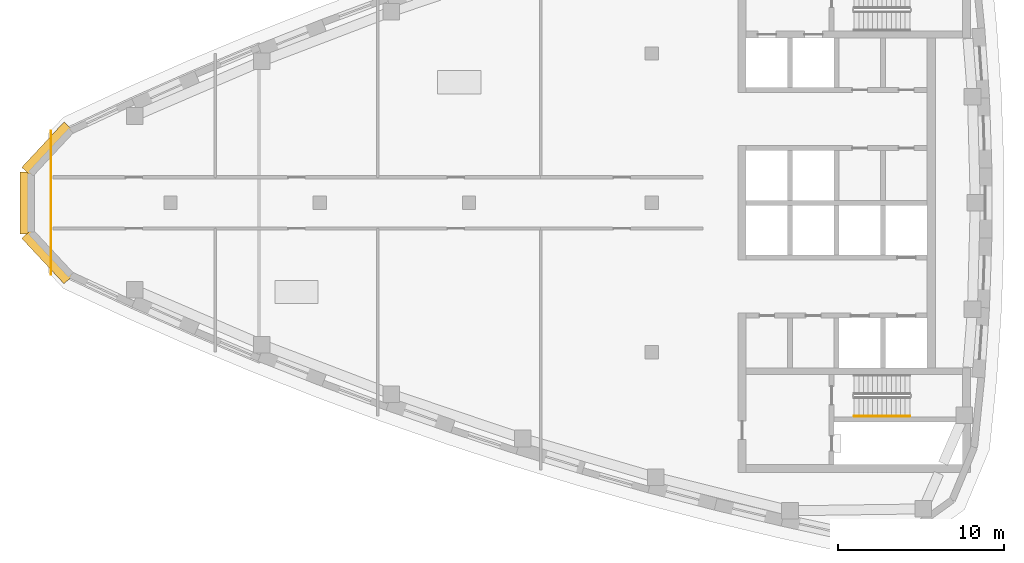
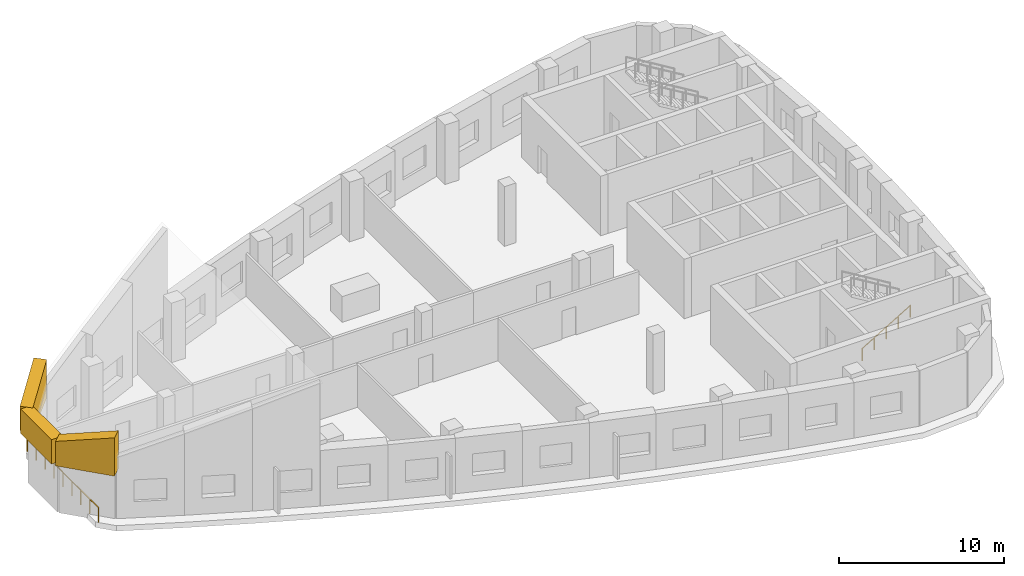
# One storey, part 5 of 7: 3 coverings, 2 railings.
"""IFC4 building model written with IfcOpenShell, lengths in metres."""

from ifc_helpers import new_model, si_unit, direction, frame, origin, origin_2d, place, context, subcontext, project, spatial, polyline, circle, outline, extrude, material, layer, layer_set, type_object, element, save


model = new_model("IFC4")

# Units and contexts
model_context = context("Model", 3, precision=1e-05, world=origin(), true_north=direction((0.0, 1.0)))
body_context = subcontext(model_context, "Body", "Model", "MODEL_VIEW")
ifc_project = project(units=[si_unit("LENGTHUNIT", "METRE"), si_unit("AREAUNIT", "SQUARE_METRE"), si_unit("VOLUMEUNIT", "CUBIC_METRE"), si_unit("PLANEANGLEUNIT", "RADIAN"), si_unit("MASSUNIT", "GRAM", prefix="KILO")], contexts=[model_context])

# Site, building, storey
site_placement = place(None, origin())
site = spatial("IfcSite", under=ifc_project, at=site_placement, CompositionType="ELEMENT")
building_placement = place(site_placement, origin())
building = spatial("IfcBuilding", under=site, at=building_placement, Name="Ostrand Prow Hotel Tower", CompositionType="ELEMENT")
storey_placement = place(building_placement, frame((0.0, 0.0, 323.0)))
storey = spatial("IfcBuildingStorey", under=building, at=storey_placement, Name="C4", CompositionType="ELEMENT", Elevation=323.0)

# Railing
ifc_material_1 = material(Name="Stainless steel", Category="steel")
railing_type_1 = type_object("IfcRailingType", Name="Crown deck edge guard 1100", PredefinedType="GUARDRAIL", material=ifc_material_1)
railing_1_placement = place(storey_placement, frame((8.810791015625, -4.31298828125, 0.0)))
element("IfcRailing", 1, at=railing_1_placement, inside=storey, type_object=railing_type_1, Name="Crown deck edge guard C4-1", PredefinedType="GUARDRAIL", context=body_context, shape_type="SweptSolid", body=[
    extrude(circle(Radius=0.02392578125, at=origin_2d()), frame((0.0, 0.0, 1.076171875), z_axis=(0.0, 1.0, 0.0), x_axis=(-1.0, 0.0, 0.0)), (0.0, 0.0, 1.0), 8.6259765625),
    extrude(circle(Radius=0.02099609375, at=origin_2d()), origin(), (0.0, 0.0, 1.0), 1.052001953125),
    extrude(circle(Radius=0.02099609375, at=origin_2d()), frame((0.0, 1.078125, 0.0)), (0.0, 0.0, 1.0), 1.052001953125),
    extrude(circle(Radius=0.02099609375, at=origin_2d()), frame((0.0, 2.156494140625, 0.0)), (0.0, 0.0, 1.0), 1.052001953125),
    extrude(circle(Radius=0.02099609375, at=origin_2d()), frame((0.0, 3.23486328125, 0.0)), (0.0, 0.0, 1.0), 1.052001953125),
    extrude(circle(Radius=0.02099609375, at=origin_2d()), frame((0.0, 4.31298828125, 0.0)), (0.0, 0.0, 1.0), 1.052001953125),
    extrude(circle(Radius=0.02099609375, at=origin_2d()), frame((0.0, 5.39111328125, 0.0)), (0.0, 0.0, 1.0), 1.052001953125),
    extrude(circle(Radius=0.02099609375, at=origin_2d()), frame((0.0, 6.469482421875, 0.0)), (0.0, 0.0, 1.0), 1.052001953125),
    extrude(circle(Radius=0.02099609375, at=origin_2d()), frame((0.0, 7.5478515625, 0.0)), (0.0, 0.0, 1.0), 1.052001953125),
    extrude(circle(Radius=0.02099609375, at=origin_2d()), frame((0.0, 8.6259765625, 0.0)), (0.0, 0.0, 1.0), 1.052001953125),
])

# Coverings
ifc_material_2 = material(Name="Limestone cladding", Category="masonry")
ifc_layer = layer(ifc_material_2, 0.800048828125)
ifc_layer_set = layer_set([ifc_layer], Name="Limestone cladding")
covering_type = type_object("IfcCoveringType", Name="Crown stone fascia 800 mm", PredefinedType="CLADDING", material=ifc_layer_set)
covering_1_placement = place(storey_placement, frame((9.883056640625, 4.601318359375, 3.464111328125), z_axis=(0.0, 0.0, 1.0), x_axis=(-0.681530790427, -0.73178943809, 0.0)))
element("IfcCovering", 2, at=covering_1_placement, inside=storey, type_object=covering_type, Name="Crown stone fascia 1", PredefinedType="CLADDING", context=body_context, shape_type="SweptSolid", body=[
    extrude(outline(polyline([(0.0, 0.0), (3.735595703125, 0.0), (3.7353515625, 1.800048828125), (0.0, 2.82861328125), (0.0, 0.0)])), frame((0.0, 0.39990234375, 0.0), z_axis=(0.0, -1.0, 0.0), x_axis=(1.0, 0.0, 0.0)), (0.0, 0.0, 1.0), 0.800048828125),
])
covering_2_placement = place(storey_placement, frame((7.337158203125, 1.86767578125, 3.464111328125), z_axis=(0.0, 0.0, 1.0), x_axis=(0.0, -1.0, 0.0)))
element("IfcCovering", 3, at=covering_2_placement, inside=storey, type_object=covering_type, Name="Crown stone fascia 2", PredefinedType="CLADDING", context=body_context, shape_type="SweptSolid", body=[
    extrude(outline(polyline([(0.0, 0.0), (3.7353515625, 0.0), (3.7353515625, 1.800048828125), (0.0, 1.800048828125), (0.0, 0.0)])), frame((0.0, 0.39990234375, 0.0), z_axis=(0.0, -1.0, 0.0), x_axis=(1.0, 0.0, 0.0)), (0.0, 0.0, 1.0), 0.800048828125),
])
covering_3_placement = place(storey_placement, frame((7.337158203125, -1.86767578125, 3.464111328125), z_axis=(0.0, 0.0, 1.0), x_axis=(0.681530790427, -0.73178943809, 0.0)))
element("IfcCovering", 4, at=covering_3_placement, inside=storey, type_object=covering_type, Name="Crown stone fascia 3", PredefinedType="CLADDING", context=body_context, shape_type="SweptSolid", body=[
    extrude(outline(polyline([(0.0, 0.0), (3.735595703125, 0.0), (3.7353515625, 2.82861328125), (0.0, 1.800048828125), (0.0, 0.0)])), frame((0.0, 0.39990234375, 0.0), z_axis=(0.0, -1.0, 0.0), x_axis=(1.0, 0.0, 0.0)), (0.0, 0.0, 1.0), 0.800048828125),
])

# Railing
ifc_material_3 = material(Name="Stainless steel", Category="steel")
railing_type_2 = type_object("IfcRailingType", Name="Stair handrail 900", PredefinedType="HANDRAIL", material=ifc_material_3)
railing_2_placement = place(storey_placement, frame((57.199951171875, -12.85009765625, 0.169189453125)))
element("IfcRailing", 5, at=railing_2_placement, inside=storey, type_object=railing_type_2, Name="C4 ST2C stair handrail 1", PredefinedType="HANDRAIL", context=body_context, shape_type="SweptSolid", body=[
    extrude(circle(Radius=0.02392578125, at=origin_2d()), frame((0.0, 0.0, 0.8759765625), z_axis=(0.855836976705, 0.0, 0.517245656632), x_axis=(0.0, 1.0, 0.0)), (0.0, 0.0, 1.0), 3.926025390625),
    extrude(circle(Radius=0.02099609375, at=origin_2d()), origin(), (0.0, 0.0, 1.0), 0.851806640625),
    extrude(circle(Radius=0.02099609375, at=origin_2d()), frame((0.840087890625, 0.0, 0.5078125)), (0.0, 0.0, 1.0), 0.851806640625),
    extrude(circle(Radius=0.02099609375, at=origin_2d()), frame((1.68017578125, 0.0, 1.015380859375)), (0.0, 0.0, 1.0), 0.851806640625),
    extrude(circle(Radius=0.02099609375, at=origin_2d()), frame((2.52001953125, 0.0, 1.52294921875)), (0.0, 0.0, 1.0), 0.851806640625),
    extrude(circle(Radius=0.02099609375, at=origin_2d()), frame((3.360107421875, 0.0, 2.03076171875)), (0.0, 0.0, 1.0), 0.851806640625),
])

save(model, "model.ifc")
